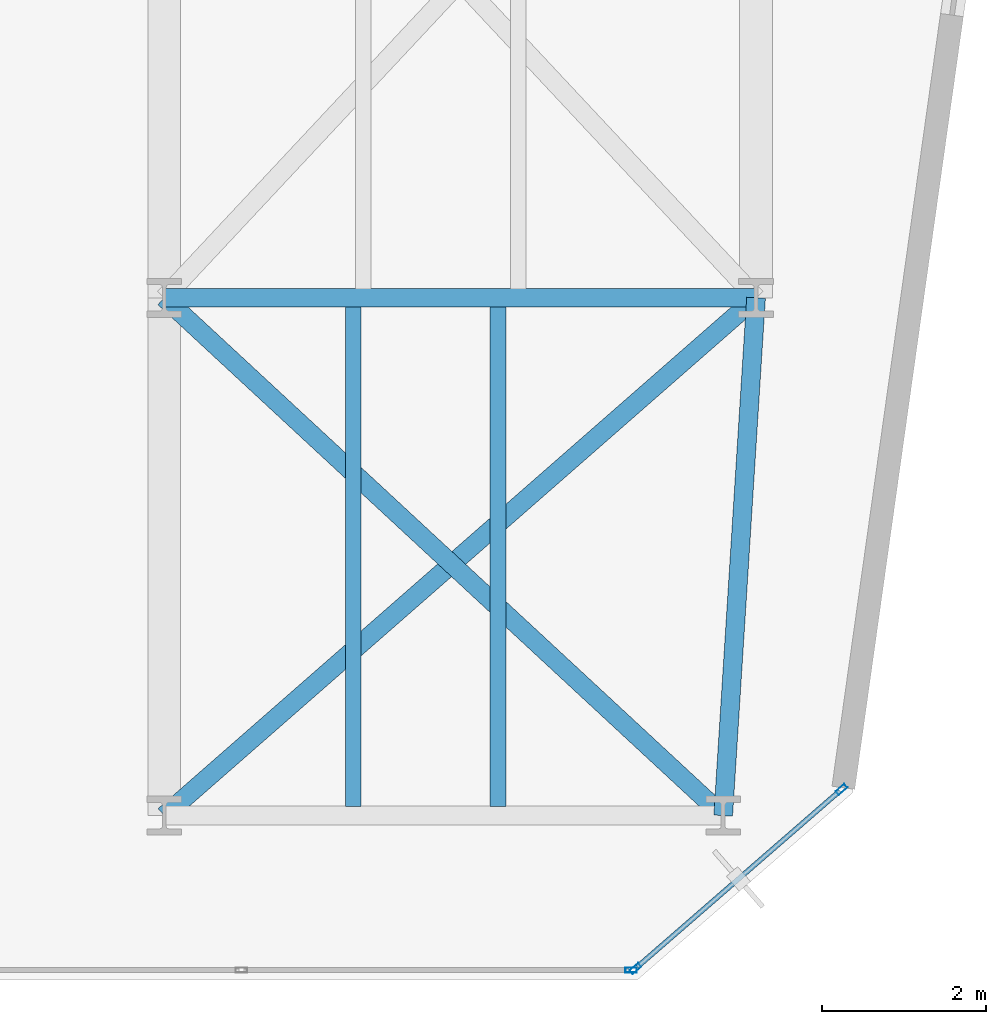
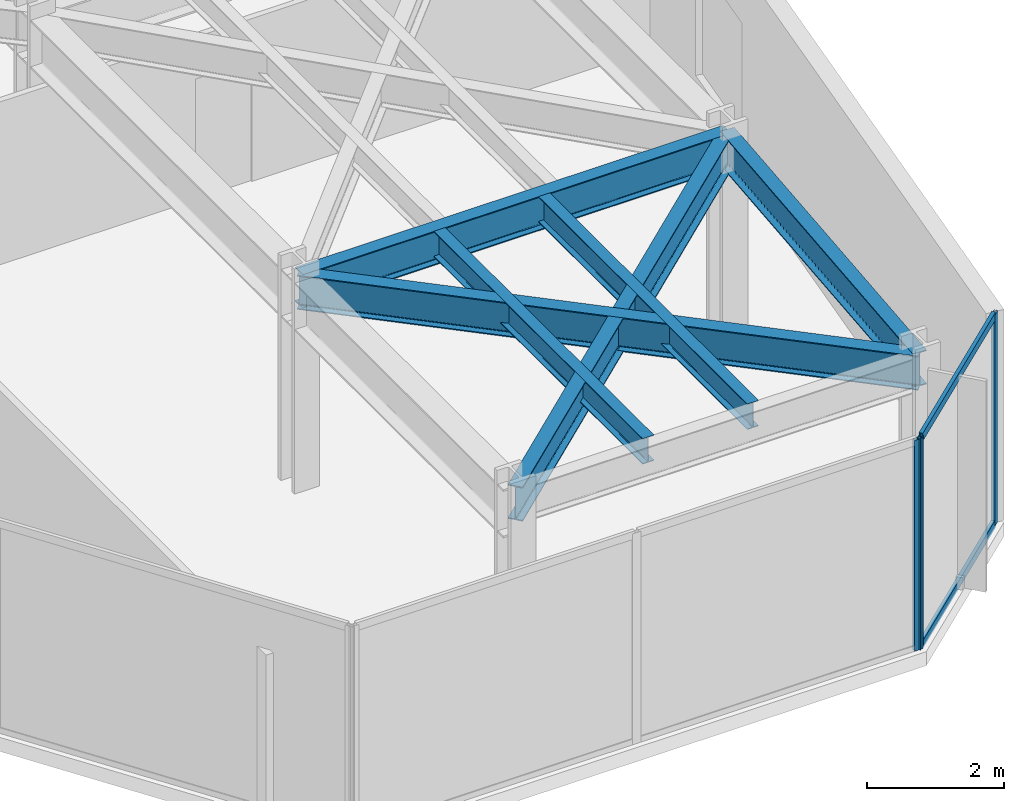
# One storey, part 19 of 26: 6 beams, 5 members, 2 elements without a shape of their own.
"""IFC4 building model written with IfcOpenShell, lengths in metres."""

import ifcopenshell
import ifcopenshell.guid

model = None  # the IFC model being written
_history = None  # IfcOwnerHistory: only IFC2X3 demands one
_inside = {}  # id of a spatial element -> (the spatial element, [elements in it])
_under = {}  # id of a project, library or spatial element -> (it, [spatial elements below it])
_declared = {}  # id of a project -> (the project, [libraries it declares])
_typed = {}  # id of a type object -> (the type object, [elements of that type])
_made_of = {}  # id of a material, layer set ... -> (it, [elements and type objects made of it])


def new_model(schema):
    """Start an empty IFC model of exactly this schema.

    Asked for "IFC4X3", IfcOpenShell would pick the latest addendum, in which some entities
    have other attributes; the version numbers below select the first issue.
    IFC2X3 requires an IfcOwnerHistory on every rooted entity: one is made here for all.
    """
    global model, _history
    if schema == "IFC4X3":
        model = ifcopenshell.file(schema_version=(4, 3, 0, 0))
    else:
        model = ifcopenshell.file(schema=schema)
    _inside.clear()
    _under.clear()
    _declared.clear()
    _typed.clear()
    _made_of.clear()
    _history = None
    if model.schema == "IFC2X3":
        org = make("IfcOrganization", Name="unknown")
        user = make(
            "IfcPersonAndOrganization",
            ThePerson=make("IfcPerson", FamilyName="unknown"),
            TheOrganization=org,
        )
        app = make(
            "IfcApplication",
            ApplicationDeveloper=org,
            Version="unknown",
            ApplicationFullName="unknown",
            ApplicationIdentifier="unknown",
        )
        _history = make(
            "IfcOwnerHistory",
            OwningUser=user,
            OwningApplication=app,
            ChangeAction="ADDED",
            CreationDate=0,
        )
    return model


def make(cls, **values):
    """One entity of the class cls with the attributes given. An attribute that is None is left unset."""
    return model.create_entity(
        cls, **{name: value for name, value in values.items() if value is not None}
    )


def rooted(cls, **values):
    """An entity with a GlobalId (a new one), such as an element, a storey or a relation."""
    return make(cls, GlobalId=ifcopenshell.guid.new(), OwnerHistory=_history, **values)


def si_unit(unit_type, name, prefix=None):
    """IfcSIUnit, for example si_unit("LENGTHUNIT", "METRE", prefix="MILLI")."""
    return make("IfcSIUnit", UnitType=unit_type, Prefix=prefix, Name=name)


def assignment(units):
    """IfcUnitAssignment: the units of a project."""
    return None if units is None else make("IfcUnitAssignment", Units=units)


def point(xyz):
    """IfcCartesianPoint."""
    return None if xyz is None else make("IfcCartesianPoint", Coordinates=xyz)


def direction(xyz):
    """IfcDirection."""
    return None if xyz is None else make("IfcDirection", DirectionRatios=xyz)


def frame(location, z_axis=None, x_axis=None):
    """IfcAxis2Placement3D, a coordinate frame: its origin and axes. An axis left out is left unset."""
    return make(
        "IfcAxis2Placement3D",
        Location=point(location),
        Axis=direction(z_axis),
        RefDirection=direction(x_axis),
    )


def frame_2d(location, x_axis=None):
    """IfcAxis2Placement2D, a coordinate frame in the plane: its origin and x axis."""
    return make(
        "IfcAxis2Placement2D", Location=point(location), RefDirection=direction(x_axis)
    )


def origin():
    """The frame at (0, 0, 0) with its axes left unset."""
    return frame((0.0, 0.0, 0.0))


def origin_2d():
    """The frame at (0, 0) in the plane with its x axis left unset."""
    return frame_2d((0.0, 0.0))


def place(relative_to, where):
    """IfcLocalPlacement: puts the frame where relative to a parent placement (None: the world)."""
    return make(
        "IfcLocalPlacement", PlacementRelTo=relative_to, RelativePlacement=where
    )


def context(
    kind, dimensions, precision=None, world=None, true_north=None, identifier=None
):
    """IfcGeometricRepresentationContext, for example the 3D "Model" context."""
    return make(
        "IfcGeometricRepresentationContext",
        ContextIdentifier=identifier,
        ContextType=kind,
        CoordinateSpaceDimension=dimensions,
        Precision=precision,
        WorldCoordinateSystem=world,
        TrueNorth=true_north,
    )


def subcontext(parent, identifier, kind, view, scale=None):
    """IfcGeometricRepresentationSubContext, for example "Body" below "Model"."""
    return make(
        "IfcGeometricRepresentationSubContext",
        ContextIdentifier=identifier,
        ContextType=kind,
        ParentContext=parent,
        TargetScale=scale,
        TargetView=view,
    )


def project(units=None, contexts=None):
    """IfcProject with its units and contexts."""
    return rooted(
        "IfcProject",
        Name="project",
        RepresentationContexts=contexts,
        UnitsInContext=assignment(units),
    )


def spatial(cls, under=None, at=None, **own):
    """A site, building, storey or space (cls), placed at a placement, below another one or the project."""
    s = rooted(cls, ObjectPlacement=at, **own)
    if under is not None:
        _under.setdefault(under.id(), (under, []))[1].append(s)
    return s


def profile(cls, at=None, kind="AREA", **sizes):
    """A parametric profile (cls). Its sizes go by their IFC names, for example OverallWidth=200.0."""
    return make(cls, ProfileType=kind, Position=at, **sizes)


def hollow_rectangle(**sizes):
    """IfcRectangleHollowProfileDef."""
    return profile("IfcRectangleHollowProfileDef", **sizes)


def i_section(**sizes):
    """IfcIShapeProfileDef."""
    return profile("IfcIShapeProfileDef", **sizes)


def extrude(swept, where, along, depth):
    """IfcExtrudedAreaSolid: the profile swept, set in the frame where, extruded along a direction by depth."""
    return make(
        "IfcExtrudedAreaSolid",
        SweptArea=swept,
        Position=where,
        ExtrudedDirection=direction(along),
        Depth=depth,
    )


def shape(context_of_items, identifier, shape_type, items):
    """IfcShapeRepresentation: the items that make up one representation, for example the "Body"."""
    return make(
        "IfcShapeRepresentation",
        ContextOfItems=context_of_items,
        RepresentationIdentifier=identifier,
        RepresentationType=shape_type,
        Items=items,
    )


def material(Name=None, Category=None):
    """IfcMaterial."""
    return make("IfcMaterial", Name=Name, Category=Category)


def layer(
    of_material, thickness, ventilated=None, Name=None, Category=None, Priority=None
):
    """IfcMaterialLayer: one layer of a wall or slab, of a material (None: an air gap)."""
    return make(
        "IfcMaterialLayer",
        Material=of_material,
        LayerThickness=thickness,
        IsVentilated=ventilated,
        Name=Name,
        Category=Category,
        Priority=Priority,
    )


def layer_set(layers, Name=None):
    """IfcMaterialLayerSet."""
    return make("IfcMaterialLayerSet", MaterialLayers=layers, LayerSetName=Name)


def material_profile(
    of_material, cross_section, Name=None, Category=None, Priority=None
):
    """IfcMaterialProfile: a cross section and its material."""
    return make(
        "IfcMaterialProfile",
        Name=Name,
        Material=of_material,
        Profile=cross_section,
        Priority=Priority,
        Category=Category,
    )


def profile_set(profiles, Name=None, composite=None):
    """IfcMaterialProfileSet."""
    return make(
        "IfcMaterialProfileSet",
        Name=Name,
        MaterialProfiles=profiles,
        CompositeProfile=composite,
    )


def made_of(thing, what):
    """Note that an element or type object is made of a material, layer set ...; save() writes the relation."""
    if what is not None:
        _made_of.setdefault(what.id(), (what, []))[1].append(thing)
    return thing


def type_object(cls, material=None, **own):
    """A type object (cls), such as IfcWallType, which elements share."""
    return made_of(rooted(cls, **own), material)


def element(
    cls,
    number,
    at=None,
    inside=None,
    cuts=None,
    type_object=None,
    material=None,
    context=None,
    identifier="Body",
    shape_type=None,
    held_by="IfcProductDefinitionShape",
    body=None,
    shapes=None,
    **own,
):
    """One element of the class cls, such as IfcWall. Its Tag is "e" and its number.

    at: its placement. inside: the storey or other place that contains it. cuts: it is an
    opening in that element (IfcRelVoidsElement). A single representation is given by context,
    identifier, shape_type and body (its items); several are given by shapes. held_by: the class
    of the entity that holds the representations. save() writes the other relations.
    """
    e = rooted(cls, Tag="e%d" % number, ObjectPlacement=at, **own)
    if body is not None:
        shapes = [shape(context, identifier, shape_type, body)]
    if shapes is not None:
        e.Representation = make(held_by, Representations=shapes)
    if inside is not None:
        _inside.setdefault(inside.id(), (inside, []))[1].append(e)
    if cuts is not None:
        rooted(
            "IfcRelVoidsElement", RelatingBuildingElement=cuts, RelatedOpeningElement=e
        )
    if type_object is not None:
        _typed.setdefault(type_object.id(), (type_object, []))[1].append(e)
    return made_of(e, material)


def aggregate(whole, parts):
    """IfcRelAggregates: a whole, such as a stair, and the parts it consists of."""
    return rooted("IfcRelAggregates", RelatingObject=whole, RelatedObjects=parts)


def save(model, path):
    """Write the relations noted so far, then the file.

    IfcRelAggregates (storeys below a building ...), IfcRelContainedInSpatialStructure (elements
    in a storey), IfcRelDefinesByType, IfcRelAssociatesMaterial and IfcRelDeclares: one each for
    every whole, place, type object, material and project.
    """
    for whole, parts in _under.values():
        aggregate(whole, parts)
    for where, things in _inside.values():
        rooted(
            "IfcRelContainedInSpatialStructure",
            RelatedElements=things,
            RelatingStructure=where,
        )
    for kind, things in _typed.values():
        rooted("IfcRelDefinesByType", RelatedObjects=things, RelatingType=kind)
    for what, things in _made_of.values():
        rooted("IfcRelAssociatesMaterial", RelatedObjects=things, RelatingMaterial=what)
    for by, libraries in _declared.values():
        rooted("IfcRelDeclares", RelatingContext=by, RelatedDefinitions=libraries)
    model.write(path)


model = new_model("IFC4")

# Units and contexts
model_context = context("Model", 3, precision=1e-05, world=origin(), true_north=direction((0.0, 1.0)))
body_context = subcontext(model_context, "Body", "Model", "MODEL_VIEW")
ifc_project = project(units=[si_unit("LENGTHUNIT", "METRE"), si_unit("AREAUNIT", "SQUARE_METRE"), si_unit("VOLUMEUNIT", "CUBIC_METRE"), si_unit("PLANEANGLEUNIT", "RADIAN"), si_unit("MASSUNIT", "GRAM", prefix="KILO")], contexts=[model_context])

# Site, building, storey
site_placement = place(None, origin())
site = spatial("IfcSite", under=ifc_project, at=site_placement, CompositionType="ELEMENT")
building_placement = place(site_placement, origin())
building = spatial("IfcBuilding", under=site, at=building_placement, Name="Kravanh Interchange Tower", CompositionType="ELEMENT")
storey_placement = place(building_placement, frame((0.0, 0.0, 124.0)))
storey = spatial("IfcBuildingStorey", under=building, at=storey_placement, Name="L29", CompositionType="ELEMENT", Elevation=124.0)

# Curtain wall, members
ifc_material_1 = material(Name="Anodised Bronze Aluminium", Category="aluminium")
ifc_layer = layer(ifc_material_1, 0.179931640625)
ifc_layer_set = layer_set([ifc_layer], Name="Unitised Curtain Wall System CW-Z2 Mid Office")
curtain_wall_type = type_object("IfcCurtainWallType", Name="Unitised Curtain Wall System CW-Z2 Mid Office", PredefinedType="NOTDEFINED", material=ifc_layer_set)
curtain_wall_1_placement = place(storey_placement, origin())
curtain_wall_1 = element("IfcCurtainWall", 1, at=curtain_wall_1_placement, inside=storey, type_object=curtain_wall_type, Name="L29 Unitised Curtain Wall CW-L29-02", PredefinedType="NOTDEFINED")
ifc_material_2 = material(Name="Anodised Bronze Aluminium", Category="aluminium")
ifc_material_profile_1 = material_profile(ifc_material_2, hollow_rectangle(XDim=0.06005859375, YDim=0.139892578125, WallThickness=0.00390625, at=origin_2d()), Name="ALU60X140X4")
ifc_profile_set_1 = profile_set([ifc_material_profile_1], Name="Anodised Bronze Aluminium")
member_type_1 = type_object("IfcMemberType", Name="Curtain Wall Mullion ALU60X140X4 Bronze", PredefinedType="MULLION", material=ifc_profile_set_1)
member_1_placement = place(storey_placement, frame((64.239990234375, 8.51904296875, 0.0), z_axis=(0.0, 0.0, 1.0), x_axis=(0.656047665617, -0.754719458103, 0.0)))
member_1 = element("IfcMember", 2, at=member_1_placement, type_object=member_type_1, Name="CW-Z2 mullion 1", PredefinedType="MULLION", context=body_context, shape_type="SweptSolid", body=[
    extrude(hollow_rectangle(XDim=0.06005859375, YDim=0.139892578125, WallThickness=0.00390625, at=origin_2d()), origin(), (0.0, 0.0, 1.0), 3.75),
])
member_2_placement = place(storey_placement, frame((61.73291015625, 6.339599609375, 0.0), z_axis=(0.0, 0.0, 1.0), x_axis=(0.656047665617, -0.754719458103, 0.0)))
member_2 = element("IfcMember", 3, at=member_2_placement, type_object=member_type_1, Name="CW-Z2 mullion 2", PredefinedType="MULLION", context=body_context, shape_type="SweptSolid", body=[
    extrude(hollow_rectangle(XDim=0.06005859375, YDim=0.139892578125, WallThickness=0.00390625, at=origin_2d()), origin(), (0.0, 0.0, 1.0), 3.75),
])

# Curtain wall, member
curtain_wall_2_placement = place(storey_placement, origin())
curtain_wall_2 = element("IfcCurtainWall", 4, at=curtain_wall_2_placement, inside=storey, type_object=curtain_wall_type, Name="L29 Unitised Curtain Wall CW-L29-03", PredefinedType="NOTDEFINED")
member_3_placement = place(storey_placement, frame((61.68017578125, 6.320068359375, 0.0), z_axis=(0.0, 0.0, 1.0), x_axis=(0.0, -1.0, 0.0)))
member_3 = element("IfcMember", 5, at=member_3_placement, type_object=member_type_1, Name="CW-Z2 mullion 1", PredefinedType="MULLION", context=body_context, shape_type="SweptSolid", body=[
    extrude(hollow_rectangle(XDim=0.06005859375, YDim=0.139892578125, WallThickness=0.00390625, at=origin_2d()), origin(), (0.0, 0.0, 1.0), 3.75),
])
aggregate(curtain_wall_2, [member_3])

# Member
ifc_material_3 = material(Name="Anodised Bronze Aluminium", Category="aluminium")
ifc_material_profile_2 = material_profile(ifc_material_3, hollow_rectangle(XDim=0.06005859375, YDim=0.139892578125, WallThickness=0.00390625, at=origin_2d()), Name="ALU60X140X4")
ifc_profile_set_2 = profile_set([ifc_material_profile_2], Name="Anodised Bronze Aluminium")
member_type_2 = type_object("IfcMemberType", Name="Curtain Wall Transom ALU60X140X4 Bronze", PredefinedType="USERDEFINED", material=ifc_profile_set_2)
member_4_placement = place(storey_placement, frame((64.21728515625, 8.499267578125, 0.030029296875), z_axis=(-0.754742467432, -0.656021194669, 0.0), x_axis=(0.656021194669, -0.754742467432, 0.0)))
member_4 = element("IfcMember", 6, at=member_4_placement, type_object=member_type_2, Name="CW-Z2 transom 1.1", ObjectType="TRANSOM", PredefinedType="USERDEFINED", context=body_context, shape_type="SweptSolid", body=[
    extrude(hollow_rectangle(XDim=0.06005859375, YDim=0.139892578125, WallThickness=0.00390625, at=origin_2d()), origin(), (0.0, 0.0, 1.0), 3.261962890625),
])

member_5_placement = place(storey_placement, frame((64.21728515625, 8.499267578125, 3.719970703125), z_axis=(-0.754742467432, -0.656021194669, 0.0), x_axis=(0.656021194669, -0.754742467432, 0.0)))
member_5 = element("IfcMember", 7, at=member_5_placement, type_object=member_type_2, Name="CW-Z2 transom 1.2", ObjectType="TRANSOM", PredefinedType="USERDEFINED", context=body_context, shape_type="SweptSolid", body=[
    extrude(hollow_rectangle(XDim=0.06005859375, YDim=0.139892578125, WallThickness=0.00390625, at=origin_2d()), origin(), (0.0, 0.0, 1.0), 3.261962890625),
])

aggregate(curtain_wall_1, [member_1, member_2, member_4, member_5])

# Beams
ifc_material_4 = material(Name="Structural Steel S355", Category="steel")
ifc_material_profile_3 = material_profile(ifc_material_4, i_section(OverallWidth=0.18994140625, OverallDepth=0.45703125, WebThickness=0.009033203125, FlangeThickness=0.014404296875, FilletRadius=0.01806640625, at=origin_2d()), Name="W18X50")
ifc_profile_set_3 = profile_set([ifc_material_profile_3], Name="Structural Steel S355")
beam_type_1 = type_object("IfcBeamType", Name="Floor Joist W18X50 Structural Steel S355", PredefinedType="JOIST", material=ifc_profile_set_3)
for number, where, z_axis, x_axis, name in (
    (8, (58.300048828125, 8.30908203125, 3.521484375), (0.0, 1.0, 0.0), (-1.0, 0.0, 0.0), "L29 Secondary Floor Joist 3"),
    (9, (60.06005859375, 8.30908203125, 3.521484375), (0.0, 1.0, 0.0), (-1.0, 0.0, 0.0), "L29 Secondary Floor Joist 4"),
):
    element("IfcBeam", number, at=place(storey_placement, frame(where, z_axis=z_axis, x_axis=x_axis)), inside=storey, type_object=beam_type_1, Name=name, PredefinedType="JOIST", context=body_context, shape_type="SweptSolid", body=[
        extrude(i_section(OverallWidth=0.18994140625, OverallDepth=0.45703125, WebThickness=0.009033203125, FlangeThickness=0.014404296875, FilletRadius=0.01806640625, at=origin_2d()), origin(), (0.0, 0.0, 1.0), 6.08203125),
    ])
ifc_material_5 = material(Name="Structural Steel S355", Category="steel")
ifc_material_profile_4 = material_profile(ifc_material_5, i_section(OverallWidth=0.22802734375, OverallDepth=0.60791015625, WebThickness=0.01123046875, FlangeThickness=0.017333984375, FilletRadius=0.02197265625, at=origin_2d()), Name="W24X76")
ifc_profile_set_4 = profile_set([ifc_material_profile_4], Name="Structural Steel S355")
beam_type_2 = type_object("IfcBeamType", Name="Floor Spandrel W24X76 Structural Steel S355", PredefinedType="SPANDREL", material=ifc_profile_set_4)
beam_1_placement = place(storey_placement, frame((56.0, 8.199951171875, 3.446044921875), z_axis=(0.752571952274, 0.658510027752, 0.0), x_axis=(-0.658510027752, 0.752571952274, 0.0)))
element("IfcBeam", 10, at=beam_1_placement, inside=storey, type_object=beam_type_2, Name="L29 Perimeter Spandrel 97", PredefinedType="SPANDREL", context=body_context, shape_type="SweptSolid", body=[
    extrude(i_section(OverallWidth=0.22802734375, OverallDepth=0.60791015625, WebThickness=0.01123046875, FlangeThickness=0.017333984375, FilletRadius=0.02197265625, at=origin_2d()), origin(), (0.0, 0.0, 1.0), 9.567138671875),
])
beam_2_placement = place(storey_placement, frame((62.800048828125, 8.199951171875, 3.446044921875), z_axis=(0.063348576418, 0.99799146182, 0.0), x_axis=(-0.99799146182, 0.063348576418, 0.0)))
element("IfcBeam", 11, at=beam_2_placement, inside=storey, type_object=beam_type_2, Name="L29 Perimeter Spandrel 98", PredefinedType="SPANDREL", context=body_context, shape_type="SweptSolid", body=[
    extrude(i_section(OverallWidth=0.22802734375, OverallDepth=0.60791015625, WebThickness=0.01123046875, FlangeThickness=0.017333984375, FilletRadius=0.02197265625, at=origin_2d()), origin(), (0.0, 0.0, 1.0), 6.312744140625),
])
beam_3_placement = place(storey_placement, frame((62.800048828125, 8.199951171875, 3.446044921875), z_axis=(-0.733561267923, 0.679623326706, 0.0), x_axis=(-0.679623326706, -0.733561267923, 0.0)))
element("IfcBeam", 12, at=beam_3_placement, inside=storey, type_object=beam_type_2, Name="L29 Perimeter Spandrel 99", PredefinedType="SPANDREL", context=body_context, shape_type="SweptSolid", body=[
    extrude(i_section(OverallWidth=0.22802734375, OverallDepth=0.60791015625, WebThickness=0.01123046875, FlangeThickness=0.017333984375, FilletRadius=0.02197265625, at=origin_2d()), origin(), (0.0, 0.0, 1.0), 9.27001953125),
])
beam_4_placement = place(storey_placement, frame((56.0, 14.5, 3.446044921875), z_axis=(1.0, 0.0, 0.0), x_axis=(0.0, 1.0, 0.0)))
element("IfcBeam", 13, at=beam_4_placement, inside=storey, type_object=beam_type_2, Name="L29 Perimeter Spandrel 103", PredefinedType="SPANDREL", context=body_context, shape_type="SweptSolid", body=[
    extrude(i_section(OverallWidth=0.22802734375, OverallDepth=0.60791015625, WebThickness=0.01123046875, FlangeThickness=0.017333984375, FilletRadius=0.02197265625, at=origin_2d()), origin(), (0.0, 0.0, 1.0), 7.199951171875),
])

save(model, "model.ifc")
